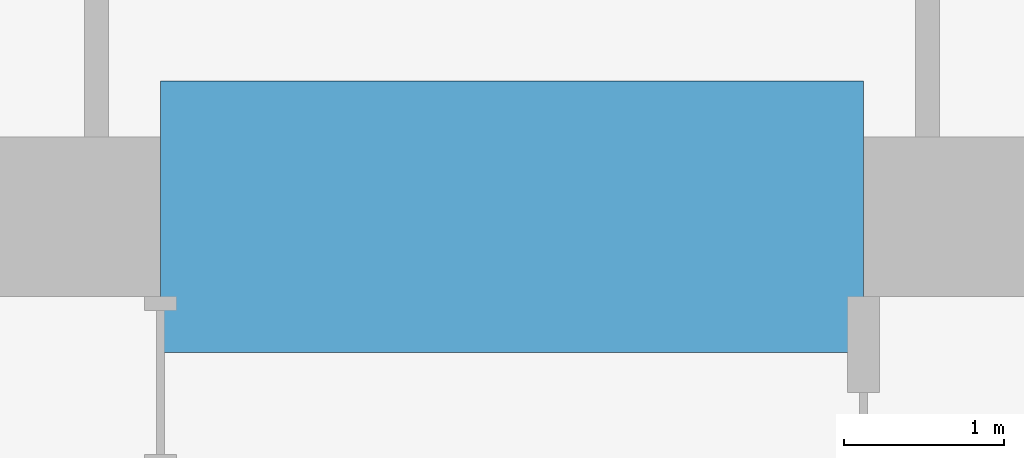
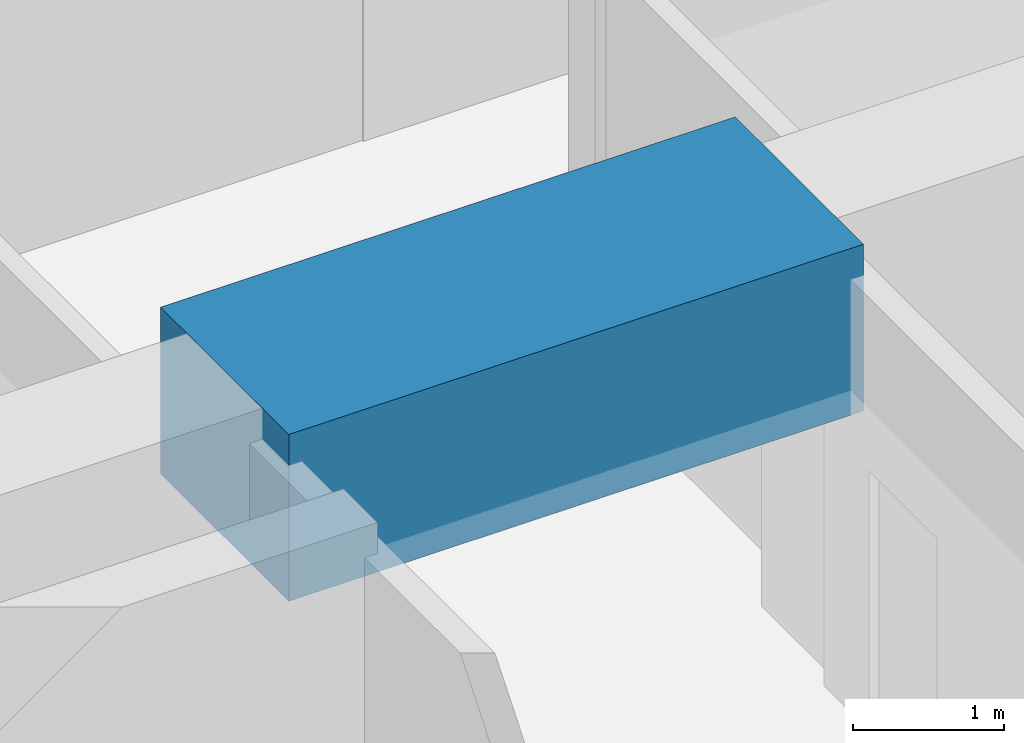
# One storey, part 18 of 40: 1 beam.
"""IFC4 building model written with IfcOpenShell, lengths in metres."""

from ifc_helpers import new_model, si_unit, direction, frame, origin, origin_2d, place, context, subcontext, project, spatial, rectangle, extrude, material, material_profile, profile_set, type_object, element, save


model = new_model("IFC4")

# Units and contexts
model_context = context("Model", 3, precision=1e-05, world=origin(), true_north=direction((0.0, 1.0)))
body_context = subcontext(model_context, "Body", "Model", "MODEL_VIEW")
ifc_project = project(units=[si_unit("LENGTHUNIT", "METRE"), si_unit("AREAUNIT", "SQUARE_METRE"), si_unit("VOLUMEUNIT", "CUBIC_METRE"), si_unit("PLANEANGLEUNIT", "RADIAN"), si_unit("MASSUNIT", "GRAM", prefix="KILO")], contexts=[model_context])

# Site, building, storey
site_placement = place(None, origin())
site = spatial("IfcSite", under=ifc_project, at=site_placement, CompositionType="ELEMENT")
building_placement = place(site_placement, origin())
building = spatial("IfcBuilding", under=site, at=building_placement, Name="Rekha Terrace Tower", CompositionType="ELEMENT")
storey_placement = place(building_placement, frame((0.0, 0.0, 121.550048828125)))
storey = spatial("IfcBuildingStorey", under=building, at=storey_placement, Name="L30", CompositionType="ELEMENT", Elevation=121.550048828125)

# Beam
ifc_material = material(Name="Concrete M70", Category="concrete")
ifc_material_profile = material_profile(ifc_material, rectangle(XDim=1.699951171875, YDim=1.35009765625, at=origin_2d()), Name="RC 1700x1350")
ifc_profile_set = profile_set([ifc_material_profile], Name="Concrete M70")
beam_type = type_object("IfcBeamType", Name="LB2A 1700x1350 diagonally reinforced coupling beam", PredefinedType="LINTEL", material=ifc_profile_set)
beam_placement = place(storey_placement, frame((35.60009765625, 46.199951171875, 3.074951171875), z_axis=(1.0, 0.0, 0.0), x_axis=(0.0, 1.0, 0.0)))
element("IfcBeam", 1, at=beam_placement, inside=storey, type_object=beam_type, Name="Coupling beam LB2A N L30", PredefinedType="LINTEL", context=body_context, shape_type="SweptSolid", body=[
    extrude(rectangle(XDim=1.699951171875, YDim=1.35009765625, at=origin_2d()), origin(), (0.0, 0.0, 1.0), 4.39990234375),
])

save(model, "model.ifc")
